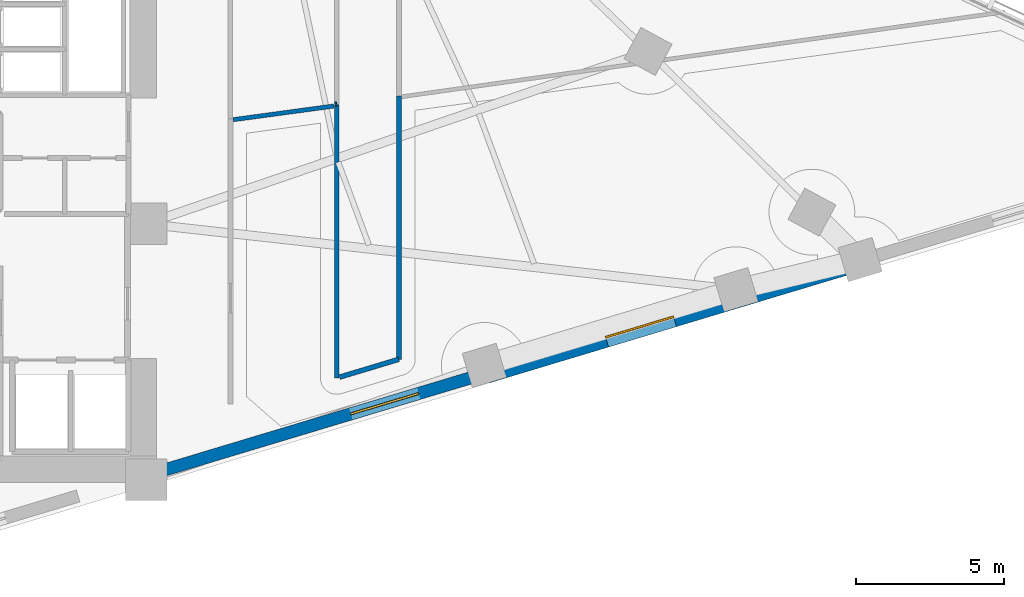
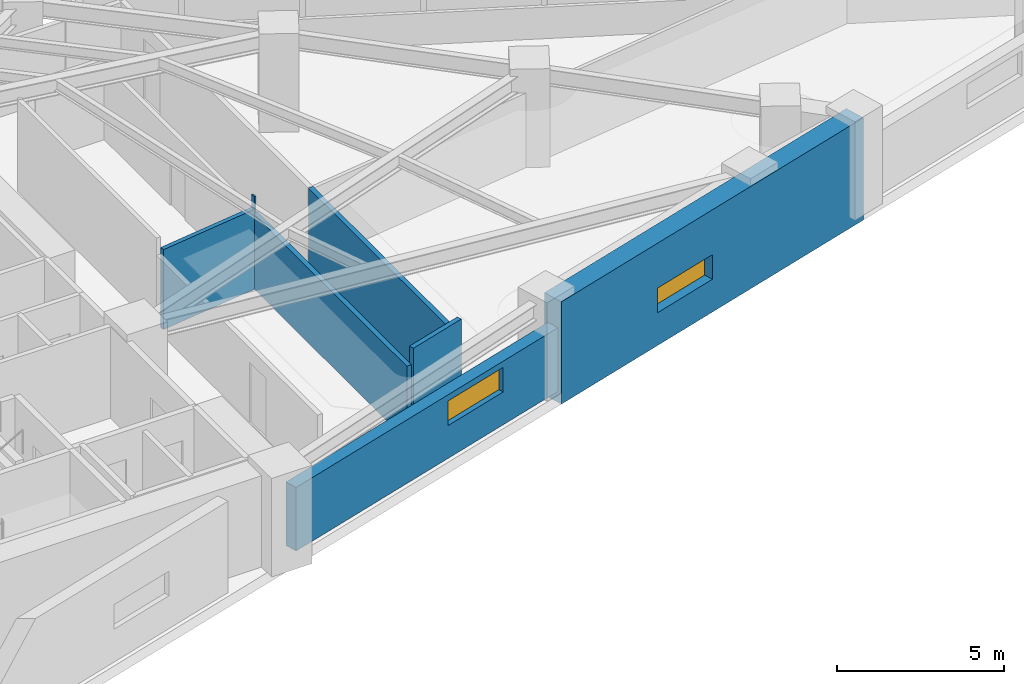
# One storey, part 12 of 16: 7 walls, 2 windows, 2 openings.
"""IFC4 building model written with IfcOpenShell, lengths in metres."""

from ifc_helpers import new_model, si_unit, direction, frame, frame_2d, origin, place, context, subcontext, project, spatial, rectangle, extrude, material, layer, layer_set, type_object, element, fill, save


model = new_model("IFC4")

# Units and contexts
model_context = context("Model", 3, precision=1e-05, world=origin(), true_north=direction((0.0, 1.0)))
body_context = subcontext(model_context, "Body", "Model", "MODEL_VIEW")
ifc_project = project(units=[si_unit("LENGTHUNIT", "METRE"), si_unit("AREAUNIT", "SQUARE_METRE"), si_unit("VOLUMEUNIT", "CUBIC_METRE"), si_unit("PLANEANGLEUNIT", "RADIAN"), si_unit("MASSUNIT", "GRAM", prefix="KILO")], contexts=[model_context])

# Site, building, storey
site_placement = place(None, origin())
site = spatial("IfcSite", under=ifc_project, at=site_placement, CompositionType="ELEMENT")
building_placement = place(site_placement, origin())
building = spatial("IfcBuilding", under=site, at=building_placement, Name="Narakoshi Arena Tower", CompositionType="ELEMENT")
storey_placement = place(building_placement, frame((0.0, 0.0, 132.300048828125)))
storey = spatial("IfcBuildingStorey", under=building, at=storey_placement, Name="L35", CompositionType="ELEMENT", Elevation=132.300048828125)

# Walls
ifc_material_1 = material(Name="Gypsum plasterboard fire-rated partition")
ifc_layer_1 = layer(ifc_material_1, 0.1650390625)
ifc_layer_set_1 = layer_set([ifc_layer_1], Name="Gypsum plasterboard fire-rated partition")
wall_type_1 = type_object("IfcWallType", Name="WL-CORR-165", PredefinedType="PARTITIONING", material=ifc_layer_set_1)
wall_1_placement = place(storey_placement, frame((91.996337890625, 47.3837890625, 0.0), z_axis=(0.0, 0.0, 1.0), x_axis=(0.0, -1.0, 0.0)))
element("IfcWall", 1, at=wall_1_placement, inside=storey, type_object=wall_type_1, Name="L35 Corridor Partition 02-2", PredefinedType="PARTITIONING", context=body_context, shape_type="SweptSolid", body=[
    extrude(rectangle(XDim=9.244384765625, YDim=0.1650390625, at=frame_2d((4.6220703125, 0.0))), origin(), (0.0, 0.0, 1.0), 2.724853515625),
])
wall_2_placement = place(storey_placement, frame((94.09619140625, 38.771484375, 0.0), z_axis=(0.0, 0.0, 1.0), x_axis=(0.0, 1.0, 0.0)))
element("IfcWall", 2, at=wall_2_placement, inside=storey, type_object=wall_type_1, Name="L35 Corridor Partition 02-3", PredefinedType="PARTITIONING", context=body_context, shape_type="SweptSolid", body=[
    extrude(rectangle(XDim=8.898193359375, YDim=0.1650390625, at=frame_2d((4.44921875, 0.0))), origin(), (0.0, 0.0, 1.0), 2.724853515625),
])
wall_3_placement = place(storey_placement, frame((92.0908203125, 38.16796875, 0.0), z_axis=(0.0, 0.0, 1.0), x_axis=(0.957575652527, 0.288182007919, 0.0)))
element("IfcWall", 3, at=wall_3_placement, inside=storey, type_object=wall_type_1, Name="L35 Corridor Partition 02-4", PredefinedType="PARTITIONING", context=body_context, shape_type="SweptSolid", body=[
    extrude(rectangle(XDim=2.09423828125, YDim=0.1650390625, at=frame_2d((1.047119140625, 0.0))), origin(), (0.0, 0.0, 1.0), 3.33984375),
])

# Wall, opening, window
ifc_material_2 = material(Name="Concrete C60/75", Category="concrete")
ifc_layer_2 = layer(ifc_material_2, 0.699951171875)
ifc_layer_set_2 = layer_set([ifc_layer_2], Name="Concrete C60/75")
wall_type_2 = type_object("IfcWallType", Name="WL-LEG-700", PredefinedType="SHEAR", material=ifc_layer_set_2)
wall_4_placement = place(storey_placement, frame((97.062255859375, 38.306640625, -0.400146484375), z_axis=(0.0, 0.0, 1.0), x_axis=(0.957569832102, 0.288201347408, 0.0)))
wall_4 = element("IfcWall", 4, at=wall_4_placement, inside=storey, type_object=wall_type_2, Name="L35 Architectural Concrete Structural Wall LEGA-3", PredefinedType="SHEAR", context=body_context, shape_type="SweptSolid", body=[
    extrude(rectangle(XDim=13.198974609375, YDim=0.699951171875, at=frame_2d((6.599609375, 0.0))), origin(), (0.0, 0.0, 1.0), 3.739990234375),
])
opening_1_placement = place(wall_4_placement, frame((4.201171875, 0.0, 1.199951171875)))
opening_1 = element("IfcOpeningElement", 5, at=opening_1_placement, cuts=wall_4, Name="Opening WN-01", PredefinedType="OPENING", context=body_context, shape_type="SweptSolid", body=[
    extrude(rectangle(XDim=2.39990234375, YDim=0.89990234375, at=frame_2d((1.199951171875, 0.449951171875))), frame((0.0, 0.35986328125, 0.0), z_axis=(0.0, -1.0, 0.0), x_axis=(1.0, 0.0, 0.0)), (0.0, 0.0, 1.0), 0.719970703125),
])
ifc_material_3 = material(Name="Bronze-tinted low-E laminated glass", Category="glass")
window_type = type_object("IfcWindowType", Name="WIN-SLT-24x09", PartitioningType="SINGLE_PANEL", PredefinedType="WINDOW", material=ifc_material_3)
window_1_placement = place(opening_1_placement, origin())
window_1 = element("IfcWindow", 6, at=window_1_placement, inside=storey, type_object=window_type, Name="L35 LEGA3 Horizontal Slot Window 1", OverallHeight=0.89990234375, OverallWidth=2.39990234375, PartitioningType="SINGLE_PANEL", PredefinedType="WINDOW", context=body_context, shape_type="SweptSolid", body=[
    extrude(rectangle(XDim=2.39990234375, YDim=0.89990234375, at=frame_2d((1.199951171875, 0.449951171875))), frame((0.0, 0.030029296875, 0.0), z_axis=(0.0, -1.0, 0.0), x_axis=(1.0, 0.0, 0.0)), (0.0, 0.0, 1.0), 0.06005859375),
])
fill(opening_1, window_1)

ifc_material_4 = material(Name="Precast concrete C45/55", Category="concrete")
ifc_layer_3 = layer(ifc_material_4, 0.419921875)
ifc_layer_set_3 = layer_set([ifc_layer_3], Name="Precast concrete C45/55")
wall_type_3 = type_object("IfcWallType", Name="WL-POD-420", PredefinedType="SOLIDWALL", material=ifc_layer_set_3)
wall_5_placement = place(storey_placement, frame((86.10009765625, 35.00732421875, 0.0), z_axis=(0.0, 0.0, 1.0), x_axis=(0.957569401796, 0.288202777129, 0.0)))
wall_5 = element("IfcWall", 7, at=wall_5_placement, inside=storey, type_object=wall_type_3, Name="L35 Architectural Concrete Facade Wall LEGA-2", PredefinedType="SOLIDWALL", context=body_context, shape_type="SweptSolid", body=[
    extrude(rectangle(XDim=11.447998046875, YDim=0.419921875, at=frame_2d((5.72412109375, 0.0))), origin(), (0.0, 0.0, 1.0), 2.324951171875),
])
opening_2_placement = place(wall_5_placement, frame((6.652099609375, 0.0, 1.199951171875)))
opening_2 = element("IfcOpeningElement", 8, at=opening_2_placement, cuts=wall_5, Name="Opening WN-01", PredefinedType="OPENING", context=body_context, shape_type="SweptSolid", body=[
    extrude(rectangle(XDim=2.39990234375, YDim=0.89990234375, at=frame_2d((1.199951171875, 0.449951171875))), frame((0.0, 0.219970703125, 0.0), z_axis=(0.0, -1.0, 0.0), x_axis=(1.0, 0.0, 0.0)), (0.0, 0.0, 1.0), 0.43994140625),
])
window_2_placement = place(opening_2_placement, origin())
window_2 = element("IfcWindow", 9, at=window_2_placement, inside=storey, type_object=window_type, Name="L35 LEGA2 Horizontal Slot Window 1", OverallHeight=0.89990234375, OverallWidth=2.39990234375, PartitioningType="SINGLE_PANEL", PredefinedType="WINDOW", context=body_context, shape_type="SweptSolid", body=[
    extrude(rectangle(XDim=2.39990234375, YDim=0.89990234375, at=frame_2d((1.199951171875, 0.449951171875))), frame((0.0, 0.030029296875, 0.0), z_axis=(0.0, -1.0, 0.0), x_axis=(1.0, 0.0, 0.0)), (0.0, 0.0, 1.0), 0.06005859375),
])
fill(opening_2, window_2)

# Walls
ifc_material_5 = material(Name="Moisture-resistant cement-board partition")
ifc_layer_4 = layer(ifc_material_5, 0.14501953125)
ifc_layer_set_4 = layer_set([ifc_layer_4], Name="Moisture-resistant cement-board partition")
wall_type_4 = type_object("IfcWallType", Name="WL-WET-145", PredefinedType="PARTITIONING", material=ifc_layer_set_4)
wall_6_placement = place(storey_placement, frame((88.494384765625, 46.87158203125, 0.0), z_axis=(0.0, 0.0, 1.0), x_axis=(0.990889260198, 0.134679152153, 0.0)))
element("IfcWall", 10, at=wall_6_placement, inside=storey, type_object=wall_type_4, Name="L35 Inter-Room Partition 02-04", PredefinedType="PARTITIONING", context=body_context, shape_type="SweptSolid", body=[
    extrude(rectangle(XDim=3.438720703125, YDim=0.14501953125, at=frame_2d((1.71923828125, 0.0))), origin(), (0.0, 0.0, 1.0), 2.925048828125),
])
wall_7_placement = place(storey_placement, frame((91.996337890625, 47.407958984375, 0.0), z_axis=(0.0, 0.0, 1.0), x_axis=(-0.991122022459, -0.132955393257, 0.0)))
element("IfcWall", 11, at=wall_7_placement, inside=storey, type_object=wall_type_4, Name="L35 Corridor Partition 04-6", PredefinedType="PARTITIONING", context=body_context, shape_type="SweptSolid", body=[
    extrude(rectangle(XDim=0.060546875, YDim=0.14501953125, at=frame_2d((0.0302734375, 0.0))), origin(), (0.0, 0.0, 1.0), 3.33984375),
])

save(model, "model.ifc")
